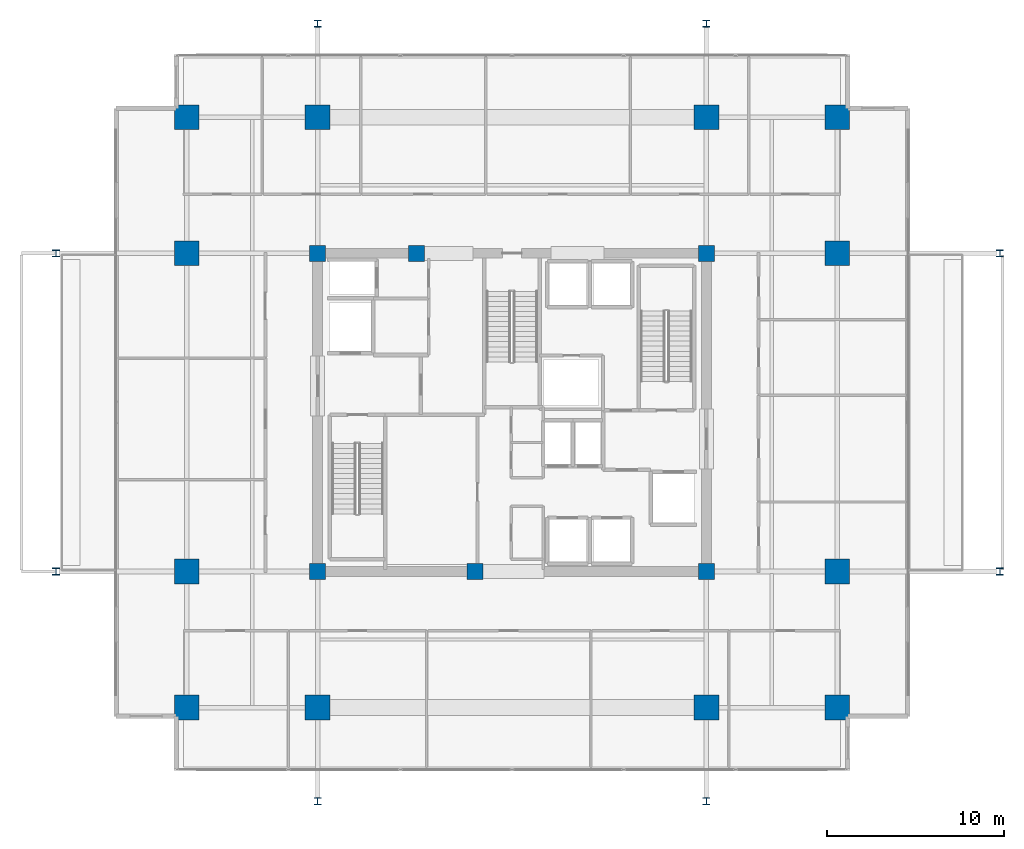
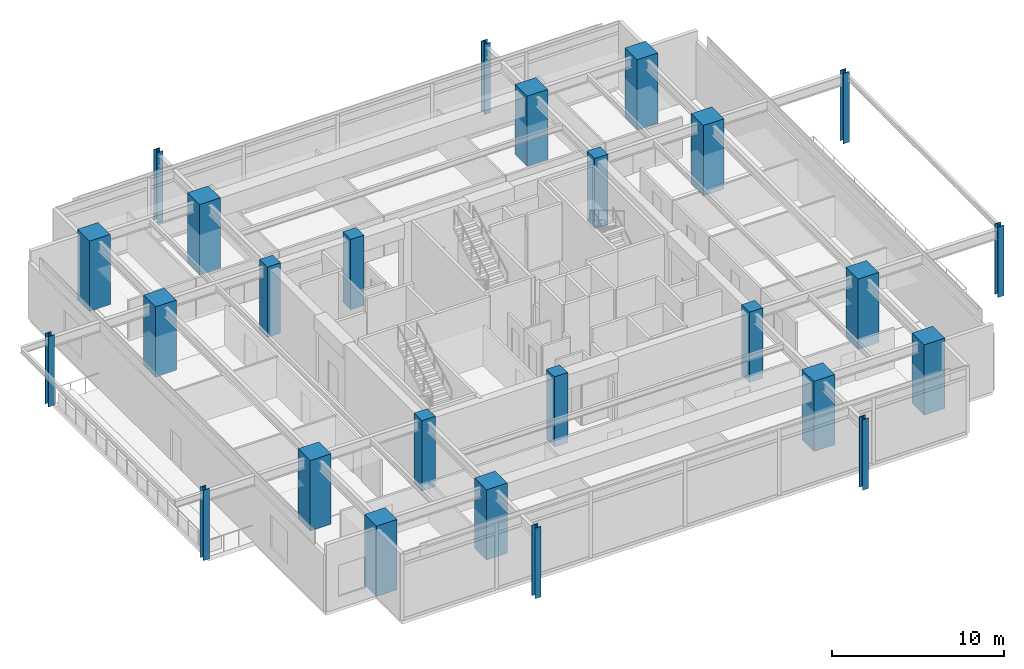
# One storey, part 1 of 19: 26 columns.
"""IFC4 building model written with IfcOpenShell, lengths in metres."""

from ifc_helpers import new_model, si_unit, direction, frame, origin, origin_2d, place, context, subcontext, project, spatial, rectangle, i_section, extrude, material, material_profile, profile_set, type_object, element, save


model = new_model("IFC4")

# Units and contexts
model_context = context("Model", 3, precision=1e-05, world=origin(), true_north=direction((0.0, 1.0)))
body_context = subcontext(model_context, "Body", "Model", "MODEL_VIEW")
ifc_project = project(units=[si_unit("LENGTHUNIT", "METRE"), si_unit("AREAUNIT", "SQUARE_METRE"), si_unit("VOLUMEUNIT", "CUBIC_METRE"), si_unit("PLANEANGLEUNIT", "RADIAN"), si_unit("MASSUNIT", "GRAM", prefix="KILO")], contexts=[model_context])

# Site, building, storey
site_placement = place(None, origin())
site = spatial("IfcSite", under=ifc_project, at=site_placement, CompositionType="ELEMENT")
building_placement = place(site_placement, origin())
building = spatial("IfcBuilding", under=site, at=building_placement, Name="Kovane Verandah Tower", CompositionType="ELEMENT")
storey_placement = place(building_placement, frame((0.0, 0.0, 200.199951171875)))
storey = spatial("IfcBuildingStorey", under=building, at=storey_placement, Name="L46", CompositionType="ELEMENT", Elevation=200.199951171875)

# Columns
ifc_material_1 = material(Name="Concrete C60/75", Category="concrete")
ifc_material_profile_1 = material_profile(ifc_material_1, rectangle(XDim=1.39990234375, YDim=1.39990234375, at=origin_2d()), Name="RC1400x1400")
ifc_profile_set_1 = profile_set([ifc_material_profile_1], Name="Concrete C60/75")
column_type_1 = type_object("IfcColumnType", Name="COL-RC1400", PredefinedType="COLUMN", material=ifc_profile_set_1)
for number, where, z_axis, x_axis, name in (
    (1, (29.0, 10.800048828125, 0.0), (0.0, 0.0, 1.0), (1.0, 0.0, 0.0), "L46 Tower Mega-Column MC-S1"),
    (2, (51.0, 10.800048828125, 0.0), (0.0, 0.0, 1.0), (1.0, 0.0, 0.0), "L46 Tower Mega-Column MC-S2"),
    (3, (29.0, 44.199951171875, 0.0), (0.0, 0.0, 1.0), (1.0, 0.0, 0.0), "L46 Tower Mega-Column MC-N1"),
    (4, (51.0, 44.199951171875, 0.0), (0.0, 0.0, 1.0), (1.0, 0.0, 0.0), "L46 Tower Mega-Column MC-N2"),
    (5, (21.60009765625, 18.5, 0.0), (0.0, 0.0, 1.0), (1.0, 0.0, 0.0), "L46 Tower Mega-Column MC-W1"),
    (6, (21.60009765625, 36.5, 0.0), (0.0, 0.0, 1.0), (1.0, 0.0, 0.0), "L46 Tower Mega-Column MC-W2"),
    (7, (58.39990234375, 18.5, 0.0), (0.0, 0.0, 1.0), (1.0, 0.0, 0.0), "L46 Tower Mega-Column MC-E1"),
    (8, (58.39990234375, 36.5, 0.0), (0.0, 0.0, 1.0), (1.0, 0.0, 0.0), "L46 Tower Mega-Column MC-E2"),
    (9, (21.60009765625, 10.800048828125, 0.0), (0.0, 0.0, 1.0), (1.0, 0.0, 0.0), "L46 Tower Mega-Column MC-SW"),
    (10, (58.39990234375, 10.800048828125, 0.0), (0.0, 0.0, 1.0), (1.0, 0.0, 0.0), "L46 Tower Mega-Column MC-SE"),
    (11, (21.60009765625, 44.199951171875, 0.0), (0.0, 0.0, 1.0), (1.0, 0.0, 0.0), "L46 Tower Mega-Column MC-NW"),
    (12, (58.39990234375, 44.199951171875, 0.0), (0.0, 0.0, 1.0), (1.0, 0.0, 0.0), "L46 Tower Mega-Column MC-NE"),
):
    element("IfcColumn", number, at=place(storey_placement, frame(where, z_axis=z_axis, x_axis=x_axis)), inside=storey, type_object=column_type_1, Name=name, PredefinedType="COLUMN", context=body_context, shape_type="SweptSolid", body=[
        extrude(rectangle(XDim=1.39990234375, YDim=1.39990234375, at=origin_2d()), origin(), (0.0, 0.0, 1.0), 5.0),
    ])
ifc_material_2 = material(Name="Steel S460", Category="steel")
ifc_material_profile_2 = material_profile(ifc_material_2, i_section(OverallWidth=0.403076171875, OverallDepth=0.406494140625, WebThickness=0.026611328125, FlangeThickness=0.04296875, FilletRadius=0.01513671875, at=origin_2d()), Name="UC356x406x340")
ifc_profile_set_2 = profile_set([ifc_material_profile_2], Name="Steel S460")
column_type_2 = type_object("IfcColumnType", Name="COL-UC340", PredefinedType="COLUMN", material=ifc_profile_set_2)
for number, where, z_axis, x_axis, name in (
    (13, (14.199951171875, 18.5, 0.0), (0.0, 0.0, 1.0), (1.0, 0.0, 0.0), "L46 Verandah Perimeter Column VC-W1"),
    (14, (14.199951171875, 36.5, 0.0), (0.0, 0.0, 1.0), (1.0, 0.0, 0.0), "L46 Verandah Perimeter Column VC-W2"),
    (15, (67.60009765625, 18.5, 0.0), (0.0, 0.0, 1.0), (1.0, 0.0, 0.0), "L46 Verandah Perimeter Column VC-E1"),
    (16, (67.60009765625, 36.5, 0.0), (0.0, 0.0, 1.0), (1.0, 0.0, 0.0), "L46 Verandah Perimeter Column VC-E2"),
    (17, (29.0, 5.5, 0.0), (0.0, 0.0, 1.0), (1.0, 0.0, 0.0), "L46 Verandah Perimeter Column VC-S1"),
    (18, (51.0, 5.5, 0.0), (0.0, 0.0, 1.0), (1.0, 0.0, 0.0), "L46 Verandah Perimeter Column VC-S2"),
    (19, (29.0, 49.5, 0.0), (0.0, 0.0, 1.0), (1.0, 0.0, 0.0), "L46 Verandah Perimeter Column VC-N1"),
    (20, (51.0, 49.5, 0.0), (0.0, 0.0, 1.0), (1.0, 0.0, 0.0), "L46 Verandah Perimeter Column VC-N2"),
):
    element("IfcColumn", number, at=place(storey_placement, frame(where, z_axis=z_axis, x_axis=x_axis)), inside=storey, type_object=column_type_2, Name=name, PredefinedType="COLUMN", context=body_context, shape_type="SweptSolid", body=[
        extrude(i_section(OverallWidth=0.403076171875, OverallDepth=0.406494140625, WebThickness=0.026611328125, FlangeThickness=0.04296875, FilletRadius=0.01513671875, at=origin_2d()), origin(), (0.0, 0.0, 1.0), 5.0),
    ])
ifc_material_profile_3 = material_profile(ifc_material_1, rectangle(XDim=0.89990234375, YDim=0.89990234375, at=origin_2d()), Name="RC900x900")
ifc_profile_set_3 = profile_set([ifc_material_profile_3], Name="Concrete C60/75")
column_type_3 = type_object("IfcColumnType", Name="PIL-RC900", PredefinedType="PILASTER", material=ifc_profile_set_3)
for number, where, z_axis, x_axis, name in (
    (21, (29.0, 18.5, 0.0), (0.0, 0.0, 1.0), (1.0, 0.0, 0.0), "L46 Core Pilaster CP-SW"),
    (22, (51.0, 18.5, 0.0), (0.0, 0.0, 1.0), (1.0, 0.0, 0.0), "L46 Core Pilaster CP-SE"),
    (23, (29.0, 36.5, 0.0), (0.0, 0.0, 1.0), (1.0, 0.0, 0.0), "L46 Core Pilaster CP-NW"),
    (24, (51.0, 36.5, 0.0), (0.0, 0.0, 1.0), (1.0, 0.0, 0.0), "L46 Core Pilaster CP-NE"),
    (25, (37.89990234375, 18.5, 0.0), (0.0, 0.0, 1.0), (1.0, 0.0, 0.0), "L46 Core Pilaster CP-S"),
    (26, (34.60009765625, 36.5, 0.0), (0.0, 0.0, 1.0), (1.0, 0.0, 0.0), "L46 Core Pilaster CP-N"),
):
    element("IfcColumn", number, at=place(storey_placement, frame(where, z_axis=z_axis, x_axis=x_axis)), inside=storey, type_object=column_type_3, Name=name, PredefinedType="PILASTER", context=body_context, shape_type="SweptSolid", body=[
        extrude(rectangle(XDim=0.89990234375, YDim=0.89990234375, at=origin_2d()), origin(), (0.0, 0.0, 1.0), 5.0),
    ])

save(model, "model.ifc")
